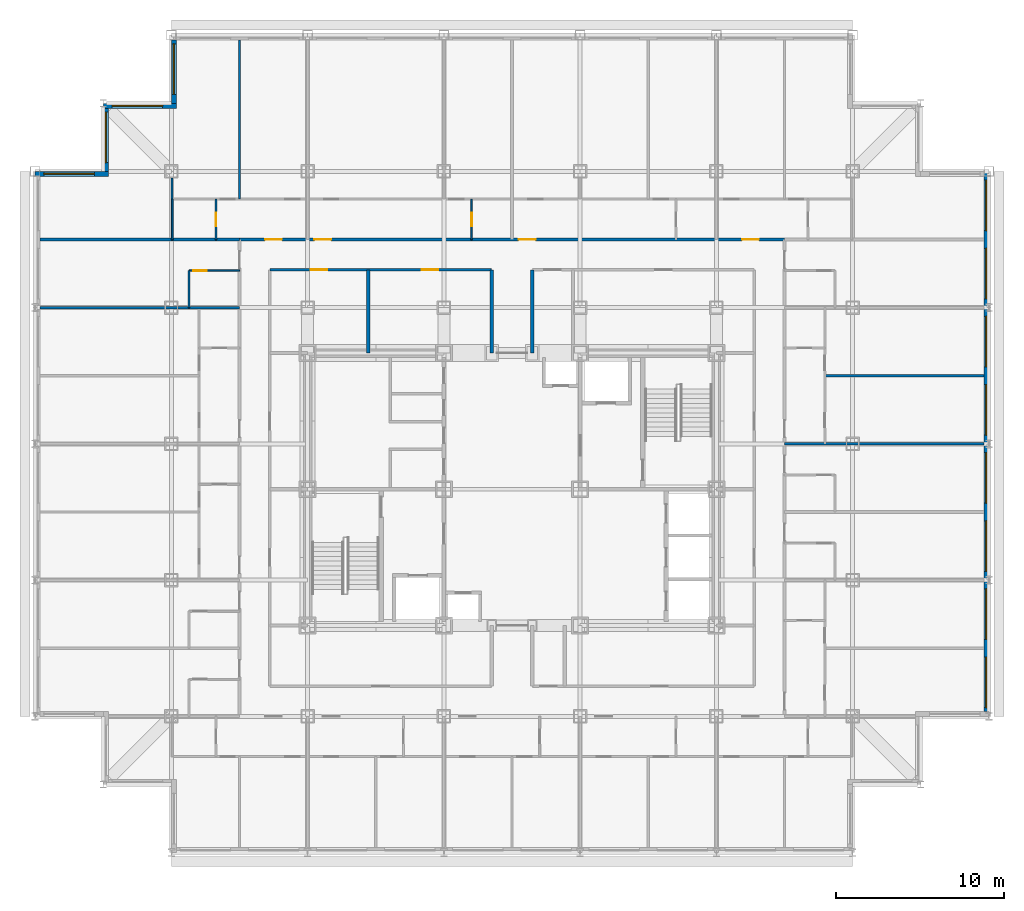
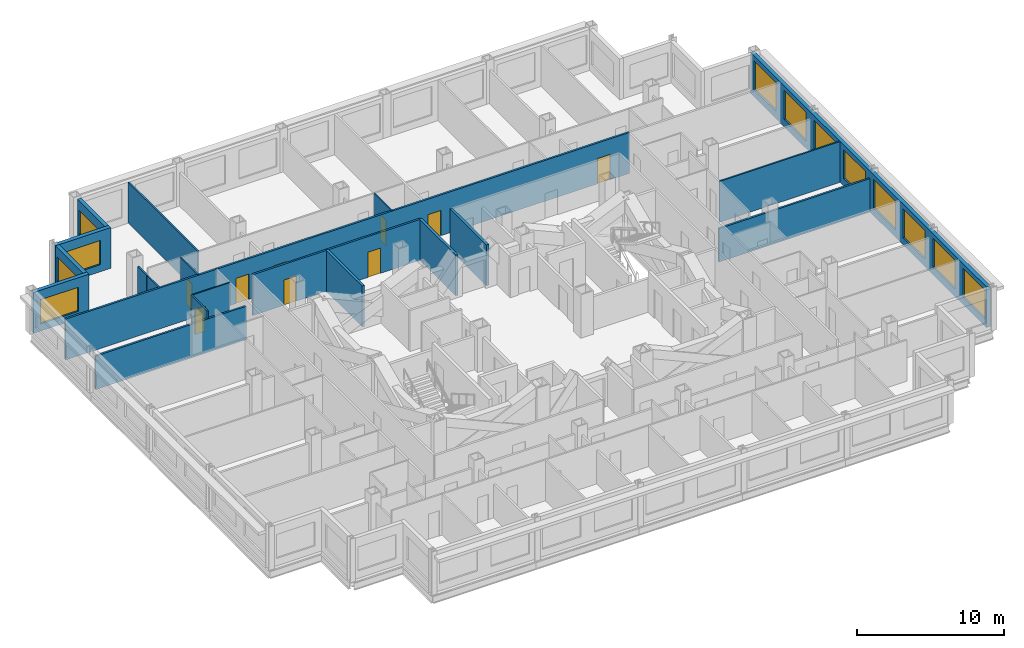
# One storey, part 9 of 12: 21 walls, 12 windows, 9 doors, 21 openings.
"""IFC4 building model written with IfcOpenShell, lengths in metres."""

from ifc_helpers import new_model, si_unit, direction, frame, frame_2d, origin, place, context, subcontext, project, spatial, rectangle, extrude, material, layer, layer_set, type_object, element, fill, save


model = new_model("IFC4")

# Units and contexts
model_context = context("Model", 3, precision=1e-05, world=origin(), true_north=direction((0.0, 1.0)))
body_context = subcontext(model_context, "Body", "Model", "MODEL_VIEW")
ifc_project = project(units=[si_unit("LENGTHUNIT", "METRE"), si_unit("AREAUNIT", "SQUARE_METRE"), si_unit("VOLUMEUNIT", "CUBIC_METRE"), si_unit("PLANEANGLEUNIT", "RADIAN"), si_unit("MASSUNIT", "GRAM", prefix="KILO")], contexts=[model_context])

# Site, building, storey
site_placement = place(None, origin())
site = spatial("IfcSite", under=ifc_project, at=site_placement, CompositionType="ELEMENT")
building_placement = place(site_placement, origin())
building = spatial("IfcBuilding", under=site, at=building_placement, Name="Kopane Lantern Tower", CompositionType="ELEMENT")
storey_placement = place(building_placement, frame((0.0, 0.0, 188.39990234375)))
storey = spatial("IfcBuildingStorey", under=building, at=storey_placement, Name="L48", CompositionType="ELEMENT", Elevation=188.39990234375)

# Walls
ifc_material_1 = material(Name="Gypsum board on steel studs", Category="steel")
ifc_layer_1 = layer(ifc_material_1, 0.1201171875)
ifc_layer_set_1 = layer_set([ifc_layer_1], Name="APARTMENT INTERNAL WALL 120")
wall_type_1 = type_object("IfcWallType", Name="APARTMENT INTERNAL WALL 120", PredefinedType="PARTITIONING", material=ifc_layer_set_1)
wall_1_placement = place(storey_placement, frame((46.949951171875, 39.14990234375, 0.0), z_axis=(0.0, 0.0, 1.0), x_axis=(1.0, 0.0, 0.0)))
element("IfcWall", 1, at=wall_1_placement, inside=storey, type_object=wall_type_1, Name="Apartment Internal Wall 120 L48", PredefinedType="PARTITIONING", context=body_context, shape_type="SweptSolid", body=[
    extrude(rectangle(XDim=9.449951171875, YDim=0.1201171875, at=frame_2d((4.72509765625, 0.0))), origin(), (0.0, 0.0, 1.0), 3.39013671875),
])
wall_2_placement = place(storey_placement, frame((12.14990234375, 49.64990234375, 0.0), z_axis=(0.0, 0.0, 1.0), x_axis=(0.0, 1.0, 0.0)))
element("IfcWall", 2, at=wall_2_placement, inside=storey, type_object=wall_type_1, Name="Apartment Internal Wall 120 L48", PredefinedType="PARTITIONING", context=body_context, shape_type="SweptSolid", body=[
    extrude(rectangle(XDim=9.4501953125, YDim=0.1201171875, at=frame_2d((4.72509765625, 0.0))), origin(), (0.0, 0.0, 1.0), 3.39013671875),
])
wall_3_placement = place(storey_placement, frame((8.14990234375, 49.64990234375, 0.0), z_axis=(0.0, 0.0, 1.0), x_axis=(0.0, 1.0, 0.0)))
element("IfcWall", 3, at=wall_3_placement, inside=storey, type_object=wall_type_1, Name="Apartment Internal Wall 120 L48", PredefinedType="PARTITIONING", context=body_context, shape_type="SweptSolid", body=[
    extrude(rectangle(XDim=1.25, YDim=0.1201171875, at=frame_2d((0.625, 0.0))), origin(), (0.0, 0.0, 1.0), 2.77783203125),
])

# Wall, opening, door
ifc_material_2 = material(Name="Moisture-resistant board on steel studs", Category="steel")
ifc_layer_2 = layer(ifc_material_2, 0.10009765625)
ifc_layer_set_2 = layer_set([ifc_layer_2], Name="BATHROOM WALL 100")
wall_type_2 = type_object("IfcWallType", Name="BATHROOM WALL 100", PredefinedType="PARTITIONING", material=ifc_layer_set_2)
wall_4_placement = place(storey_placement, frame((25.949951171875, 47.25, 0.0), z_axis=(0.0, 0.0, 1.0), x_axis=(0.0, 1.0, 0.0)))
wall_4 = element("IfcWall", 4, at=wall_4_placement, inside=storey, type_object=wall_type_2, Name="Bathroom Wall 100 L48", PredefinedType="PARTITIONING", context=body_context, shape_type="SweptSolid", body=[
    extrude(rectangle(XDim=2.39990234375, YDim=0.10009765625, at=frame_2d((1.199951171875, 0.0))), origin(), (0.0, 0.0, 1.0), 3.39013671875),
])
opening_1_placement = place(wall_4_placement, frame((0.800048828125, 0.0, 0.0)))
opening_1 = element("IfcOpeningElement", 5, at=opening_1_placement, cuts=wall_4, Name="Opening L48-024", PredefinedType="OPENING", context=body_context, shape_type="SweptSolid", body=[
    extrude(rectangle(XDim=0.800048828125, YDim=2.10009765625, at=frame_2d((0.39990234375, 1.050048828125))), frame((0.0, 0.06005859375, 0.0), z_axis=(0.0, -1.0, 0.0), x_axis=(1.0, 0.0, 0.0)), (0.0, 0.0, 1.0), 0.1201171875),
])
ifc_material_3 = material(Name="Timber door set", Category="wood")
door_type_1 = type_object("IfcDoorType", Name="DOOR D2 800x2100", OperationType="SINGLE_SWING_LEFT", PredefinedType="DOOR", material=ifc_material_3)
door_1_placement = place(opening_1_placement, origin())
door_1 = element("IfcDoor", 6, at=door_1_placement, inside=storey, type_object=door_type_1, Name="Door L48-024", OperationType="SINGLE_SWING_RIGHT", OverallHeight=2.10009765625, OverallWidth=0.800048828125, PredefinedType="DOOR", context=body_context, shape_type="SweptSolid", body=[
    extrude(rectangle(XDim=0.800048828125, YDim=2.10009765625, at=frame_2d((0.39990234375, 1.050048828125))), frame((0.0, 0.02490234375, 0.0), z_axis=(0.0, -1.0, 0.0), x_axis=(1.0, 0.0, 0.0)), (0.0, 0.0, 1.0), 0.050048828125),
])
fill(opening_1, door_1)

# Wall
wall_5_placement = place(storey_placement, frame((9.14990234375, 43.199951171875, 0.0), z_axis=(0.0, 0.0, 1.0), x_axis=(0.0, 1.0, 0.0)))
element("IfcWall", 7, at=wall_5_placement, inside=storey, type_object=wall_type_2, Name="Bathroom Wall 100 L48", PredefinedType="PARTITIONING", context=body_context, shape_type="SweptSolid", body=[
    extrude(rectangle(XDim=2.199951171875, YDim=0.10009765625, at=frame_2d((1.10009765625, 0.0))), origin(), (0.0, 0.0, 1.0), 3.39013671875),
])

# Wall, opening, door
wall_6_placement = place(storey_placement, frame((12.14990234375, 45.39990234375, 0.0), z_axis=(0.0, 0.0, 1.0), x_axis=(-1.0, 0.0, 0.0)))
wall_6 = element("IfcWall", 8, at=wall_6_placement, inside=storey, type_object=wall_type_2, Name="Bathroom Wall 100 L48", PredefinedType="PARTITIONING", context=body_context, shape_type="SweptSolid", body=[
    extrude(rectangle(XDim=3.0, YDim=0.10009765625, at=frame_2d((1.5, 0.0))), origin(), (0.0, 0.0, 1.0), 3.39013671875),
])
opening_2_placement = place(wall_6_placement, frame((1.949951171875, 0.0, 0.0)))
opening_2 = element("IfcOpeningElement", 9, at=opening_2_placement, cuts=wall_6, Name="Opening L48-044", PredefinedType="OPENING", context=body_context, shape_type="SweptSolid", body=[
    extrude(rectangle(XDim=0.800048828125, YDim=2.10009765625, at=frame_2d((0.39990234375, 1.050048828125))), frame((0.0, 0.06005859375, 0.0), z_axis=(0.0, -1.0, 0.0), x_axis=(1.0, 0.0, 0.0)), (0.0, 0.0, 1.0), 0.1201171875),
])
door_2_placement = place(opening_2_placement, origin())
door_2 = element("IfcDoor", 10, at=door_2_placement, inside=storey, type_object=door_type_1, Name="Door L48-044", OperationType="SINGLE_SWING_RIGHT", OverallHeight=2.10009765625, OverallWidth=0.800048828125, PredefinedType="DOOR", context=body_context, shape_type="SweptSolid", body=[
    extrude(rectangle(XDim=0.800048828125, YDim=2.10009765625, at=frame_2d((0.39990234375, 1.050048828125))), frame((0.0, 0.02490234375, 0.0), z_axis=(0.0, -1.0, 0.0), x_axis=(1.0, 0.0, 0.0)), (0.0, 0.0, 1.0), 0.050048828125),
])
fill(opening_2, door_2)

wall_7_placement = place(storey_placement, frame((10.75, 47.25, 0.0), z_axis=(0.0, 0.0, 1.0), x_axis=(0.0, 1.0, 0.0)))
wall_7 = element("IfcWall", 11, at=wall_7_placement, inside=storey, type_object=wall_type_2, Name="Bathroom Wall 100 L48", PredefinedType="PARTITIONING", context=body_context, shape_type="SweptSolid", body=[
    extrude(rectangle(XDim=2.39990234375, YDim=0.10009765625, at=frame_2d((1.199951171875, 0.0))), origin(), (0.0, 0.0, 1.0), 3.39013671875),
])
opening_3_placement = place(wall_7_placement, frame((0.800048828125, 0.0, 0.0)))
opening_3 = element("IfcOpeningElement", 12, at=opening_3_placement, cuts=wall_7, Name="Opening L48-074", PredefinedType="OPENING", context=body_context, shape_type="SweptSolid", body=[
    extrude(rectangle(XDim=0.800048828125, YDim=2.10009765625, at=frame_2d((0.39990234375, 1.050048828125))), frame((0.0, 0.06005859375, 0.0), z_axis=(0.0, -1.0, 0.0), x_axis=(1.0, 0.0, 0.0)), (0.0, 0.0, 1.0), 0.1201171875),
])
door_3_placement = place(opening_3_placement, origin())
door_3 = element("IfcDoor", 13, at=door_3_placement, inside=storey, type_object=door_type_1, Name="Door L48-074", OperationType="SINGLE_SWING_LEFT", OverallHeight=2.10009765625, OverallWidth=0.800048828125, PredefinedType="DOOR", context=body_context, shape_type="SweptSolid", body=[
    extrude(rectangle(XDim=0.800048828125, YDim=2.10009765625, at=frame_2d((0.39990234375, 1.050048828125))), frame((0.0, 0.02490234375, 0.0), z_axis=(0.0, -1.0, 0.0), x_axis=(1.0, 0.0, 0.0)), (0.0, 0.0, 1.0), 0.050048828125),
])
fill(opening_3, door_3)

# Wall
wall_8_placement = place(storey_placement, frame((8.14990234375, 47.25, 0.0), z_axis=(0.0, 0.0, 1.0), x_axis=(0.0, 1.0, 0.0)))
element("IfcWall", 14, at=wall_8_placement, inside=storey, type_object=wall_type_2, Name="Bathroom Wall 100 L48", PredefinedType="PARTITIONING", context=body_context, shape_type="SweptSolid", body=[
    extrude(rectangle(XDim=2.39990234375, YDim=0.10009765625, at=frame_2d((1.199951171875, 0.0))), origin(), (0.0, 0.0, 1.0), 2.77783203125),
])

# Wall, openings, doors
ifc_material_4 = material(Name="Gypsum board on steel studs", Category="steel")
ifc_layer_3 = layer(ifc_material_4, 0.14990234375)
ifc_layer_set_3 = layer_set([ifc_layer_3], Name="CORRIDOR WALL 150 EI 60")
wall_type_3 = type_object("IfcWallType", Name="CORRIDOR WALL 150 EI 60", PredefinedType="PARTITIONING", material=ifc_layer_set_3)
wall_9_placement = place(storey_placement, frame((12.14990234375, 47.25, 0.0), z_axis=(0.0, 0.0, 1.0), x_axis=(1.0, 0.0, 0.0)))
wall_9 = element("IfcWall", 15, at=wall_9_placement, inside=storey, type_object=wall_type_3, Name="Corridor Wall 150 Ei 60 L48", PredefinedType="PARTITIONING", context=body_context, shape_type="SweptSolid", body=[
    extrude(rectangle(XDim=32.400146484375, YDim=0.14990234375, at=frame_2d((16.2001953125, 0.0))), origin(), (0.0, 0.0, 1.0), 3.39013671875),
])
opening_4_placement = place(wall_9_placement, frame((4.449951171875, 0.0, 0.0)))
opening_4 = element("IfcOpeningElement", 16, at=opening_4_placement, cuts=wall_9, Name="Opening L48-025", PredefinedType="OPENING", context=body_context, shape_type="SweptSolid", body=[
    extrude(rectangle(XDim=1.0, YDim=2.10009765625, at=frame_2d((0.5, 1.050048828125))), frame((0.0, 0.0849609375, 0.0), z_axis=(0.0, -1.0, 0.0), x_axis=(1.0, 0.0, 0.0)), (0.0, 0.0, 1.0), 0.169921875),
])
opening_5_placement = place(wall_9_placement, frame((16.60009765625, 0.0, 0.0)))
opening_5 = element("IfcOpeningElement", 17, at=opening_5_placement, cuts=wall_9, Name="Opening L48-029", PredefinedType="OPENING", context=body_context, shape_type="SweptSolid", body=[
    extrude(rectangle(XDim=1.0, YDim=2.10009765625, at=frame_2d((0.5, 1.050048828125))), frame((0.0, 0.0849609375, 0.0), z_axis=(0.0, -1.0, 0.0), x_axis=(1.0, 0.0, 0.0)), (0.0, 0.0, 1.0), 0.169921875),
])
opening_6_placement = place(wall_9_placement, frame((29.875, 0.0, 0.0)))
opening_6 = element("IfcOpeningElement", 18, at=opening_6_placement, cuts=wall_9, Name="Opening L48-068", PredefinedType="OPENING", context=body_context, shape_type="SweptSolid", body=[
    extrude(rectangle(XDim=1.0, YDim=2.10009765625, at=frame_2d((0.5, 1.050048828125))), frame((0.0, 0.0849609375, 0.0), z_axis=(0.0, -1.0, 0.0), x_axis=(1.0, 0.0, 0.0)), (0.0, 0.0, 1.0), 0.169921875),
])
opening_7_placement = place(wall_9_placement, frame((1.52490234375, 0.0, 0.0)))
opening_7 = element("IfcOpeningElement", 19, at=opening_7_placement, cuts=wall_9, Name="Opening L48-072", PredefinedType="OPENING", context=body_context, shape_type="SweptSolid", body=[
    extrude(rectangle(XDim=1.0, YDim=2.10009765625, at=frame_2d((0.5, 1.050048828125))), frame((0.0, 0.0849609375, 0.0), z_axis=(0.0, -1.0, 0.0), x_axis=(1.0, 0.0, 0.0)), (0.0, 0.0, 1.0), 0.169921875),
])
ifc_material_5 = material(Name="Steel door set", Category="steel")
door_type_2 = type_object("IfcDoorType", Name="DOOR D3 1000x2100 FD30S", OperationType="SINGLE_SWING_LEFT", PredefinedType="DOOR", material=ifc_material_5)
door_4_placement = place(opening_4_placement, origin())
door_4 = element("IfcDoor", 20, at=door_4_placement, inside=storey, type_object=door_type_2, Name="Door L48-025", OperationType="SINGLE_SWING_LEFT", OverallHeight=2.10009765625, OverallWidth=1.0, PredefinedType="DOOR", context=body_context, shape_type="SweptSolid", body=[
    extrude(rectangle(XDim=1.0, YDim=2.10009765625, at=frame_2d((0.5, 1.050048828125))), frame((0.0, 0.02490234375, 0.0), z_axis=(0.0, -1.0, 0.0), x_axis=(1.0, 0.0, 0.0)), (0.0, 0.0, 1.0), 0.050048828125),
])
fill(opening_4, door_4)
door_5_placement = place(opening_5_placement, origin())
door_5 = element("IfcDoor", 21, at=door_5_placement, inside=storey, type_object=door_type_2, Name="Door L48-029", OperationType="SINGLE_SWING_LEFT", OverallHeight=2.10009765625, OverallWidth=1.0, PredefinedType="DOOR", context=body_context, shape_type="SweptSolid", body=[
    extrude(rectangle(XDim=1.0, YDim=2.10009765625, at=frame_2d((0.5, 1.050048828125))), frame((0.0, 0.02490234375, 0.0), z_axis=(0.0, -1.0, 0.0), x_axis=(1.0, 0.0, 0.0)), (0.0, 0.0, 1.0), 0.050048828125),
])
fill(opening_5, door_5)
door_6_placement = place(opening_6_placement, origin())
door_6 = element("IfcDoor", 22, at=door_6_placement, inside=storey, type_object=door_type_2, Name="Door L48-068", OperationType="SINGLE_SWING_LEFT", OverallHeight=2.10009765625, OverallWidth=1.0, PredefinedType="DOOR", context=body_context, shape_type="SweptSolid", body=[
    extrude(rectangle(XDim=1.0, YDim=2.10009765625, at=frame_2d((0.5, 1.050048828125))), frame((0.0, 0.02490234375, 0.0), z_axis=(0.0, -1.0, 0.0), x_axis=(1.0, 0.0, 0.0)), (0.0, 0.0, 1.0), 0.050048828125),
])
fill(opening_6, door_6)
door_7_placement = place(opening_7_placement, origin())
door_7 = element("IfcDoor", 23, at=door_7_placement, inside=storey, type_object=door_type_2, Name="Door L48-072", OperationType="SINGLE_SWING_RIGHT", OverallHeight=2.10009765625, OverallWidth=1.0, PredefinedType="DOOR", context=body_context, shape_type="SweptSolid", body=[
    extrude(rectangle(XDim=1.0, YDim=2.10009765625, at=frame_2d((0.5, 1.050048828125))), frame((0.0, 0.02490234375, 0.0), z_axis=(0.0, -1.0, 0.0), x_axis=(1.0, 0.0, 0.0)), (0.0, 0.0, 1.0), 0.050048828125),
])
fill(opening_7, door_7)

wall_10_placement = place(storey_placement, frame((27.139892578125, 45.449951171875, 0.0), z_axis=(0.0, 0.0, 1.0), x_axis=(-1.0, 0.0, 0.0)))
wall_10 = element("IfcWall", 24, at=wall_10_placement, inside=storey, type_object=wall_type_3, Name="Corridor Wall 150 Ei 60 L48", PredefinedType="PARTITIONING", context=body_context, shape_type="SweptSolid", body=[
    extrude(rectangle(XDim=13.18994140625, YDim=0.14990234375, at=frame_2d((6.594970703125, 0.0))), origin(), (0.0, 0.0, 1.0), 3.39013671875),
])
opening_8_placement = place(wall_10_placement, frame((9.7607421875, 0.0, 0.0)))
opening_8 = element("IfcOpeningElement", 25, at=opening_8_placement, cuts=wall_10, Name="Opening L48-008", PredefinedType="OPENING", context=body_context, shape_type="SweptSolid", body=[
    extrude(rectangle(XDim=1.0, YDim=2.10009765625, at=frame_2d((0.5, 1.050048828125))), frame((0.0, 0.0849609375, 0.0), z_axis=(0.0, -1.0, 0.0), x_axis=(1.0, 0.0, 0.0)), (0.0, 0.0, 1.0), 0.169921875),
])
opening_9_placement = place(wall_10_placement, frame((3.16064453125, 0.0, 0.0)))
opening_9 = element("IfcOpeningElement", 26, at=opening_9_placement, cuts=wall_10, Name="Opening L48-009", PredefinedType="OPENING", context=body_context, shape_type="SweptSolid", body=[
    extrude(rectangle(XDim=1.0, YDim=2.10009765625, at=frame_2d((0.5, 1.050048828125))), frame((0.0, 0.0849609375, 0.0), z_axis=(0.0, -1.0, 0.0), x_axis=(1.0, 0.0, 0.0)), (0.0, 0.0, 1.0), 0.169921875),
])
ifc_material_6 = material(Name="Steel door set", Category="steel")
door_type_3 = type_object("IfcDoorType", Name="DOOR D5 1000x2100 FD60", OperationType="SINGLE_SWING_LEFT", PredefinedType="DOOR", material=ifc_material_6)
door_8_placement = place(opening_8_placement, origin())
door_8 = element("IfcDoor", 27, at=door_8_placement, inside=storey, type_object=door_type_3, Name="Door L48-008", OperationType="SINGLE_SWING_RIGHT", OverallHeight=2.10009765625, OverallWidth=1.0, PredefinedType="DOOR", context=body_context, shape_type="SweptSolid", body=[
    extrude(rectangle(XDim=1.0, YDim=2.10009765625, at=frame_2d((0.5, 1.050048828125))), frame((0.0, 0.02490234375, 0.0), z_axis=(0.0, -1.0, 0.0), x_axis=(1.0, 0.0, 0.0)), (0.0, 0.0, 1.0), 0.050048828125),
])
fill(opening_8, door_8)
door_9_placement = place(opening_9_placement, origin())
door_9 = element("IfcDoor", 28, at=door_9_placement, inside=storey, type_object=door_type_3, Name="Door L48-009", OperationType="SINGLE_SWING_LEFT", OverallHeight=2.10009765625, OverallWidth=1.0, PredefinedType="DOOR", context=body_context, shape_type="SweptSolid", body=[
    extrude(rectangle(XDim=1.0, YDim=2.10009765625, at=frame_2d((0.5, 1.050048828125))), frame((0.0, 0.02490234375, 0.0), z_axis=(0.0, -1.0, 0.0), x_axis=(1.0, 0.0, 0.0)), (0.0, 0.0, 1.0), 0.050048828125),
])
fill(opening_9, door_9)

# Walls
ifc_material_7 = material(Name="Gypsum board on steel studs", Category="steel")
ifc_layer_4 = layer(ifc_material_7, 0.14990234375)
ifc_layer_set_4 = layer_set([ifc_layer_4], Name="DEMISING WALL 150 EI 60")
wall_type_4 = type_object("IfcWallType", Name="DEMISING WALL 150 EI 60", PredefinedType="PARTITIONING", material=ifc_layer_set_4)
for number, where, z_axis, x_axis, name in (
    (29, (12.14990234375, 43.199951171875, 0.0), (0.0, 0.0, 1.0), (-1.0, 0.0, 0.0), "Demising Wall 150 Ei 60 L48"),
    (30, (44.550048828125, 35.10009765625, 0.0), (0.0, 0.0, 1.0), (1.0, 0.0, 0.0), "Demising Wall 150 Ei 60 L48"),
):
    element("IfcWall", number, at=place(storey_placement, frame(where, z_axis=z_axis, x_axis=x_axis)), inside=storey, type_object=wall_type_4, Name=name, PredefinedType="PARTITIONING", context=body_context, shape_type="SweptSolid", body=[
        extrude(rectangle(XDim=11.849853515625, YDim=0.14990234375, at=frame_2d((5.9248046875, 0.0))), origin(), (0.0, 0.0, 1.0), 2.77783203125),
    ])
wall_11_placement = place(storey_placement, frame((0.300048828125, 47.25, 0.0), z_axis=(0.0, 0.0, 1.0), x_axis=(1.0, 0.0, 0.0)))
element("IfcWall", 31, at=wall_11_placement, inside=storey, type_object=wall_type_4, Name="Demising Wall 150 Ei 60 L48", PredefinedType="PARTITIONING", context=body_context, shape_type="SweptSolid", body=[
    extrude(rectangle(XDim=11.849853515625, YDim=0.14990234375, at=frame_2d((5.9248046875, 0.0))), origin(), (0.0, 0.0, 1.0), 3.39013671875),
])

# Wall, openings, windows
ifc_material_8 = material(Name="Terracotta rainscreen on light steel framing", Category="masonry")
ifc_layer_5 = layer(ifc_material_8, 0.300048828125)
ifc_layer_set_5 = layer_set([ifc_layer_5], Name="EXTERNAL WALL EW1 300 TERRACOTTA")
wall_type_5 = type_object("IfcWallType", Name="EXTERNAL WALL EW1 300 TERRACOTTA", PredefinedType="SOLIDWALL", material=ifc_layer_set_5)
wall_12_placement = place(storey_placement, frame((56.550048828125, 19.199951171875, 0.0), z_axis=(0.0, 0.0, 1.0), x_axis=(0.0, 1.0, 0.0)))
wall_12 = element("IfcWall", 32, at=wall_12_placement, inside=storey, type_object=wall_type_5, Name="External wall E L48", PredefinedType="SOLIDWALL", context=body_context, shape_type="SweptSolid", body=[
    extrude(rectangle(XDim=32.10009765625, YDim=0.300048828125, at=frame_2d((16.050048828125, 0.0))), origin(), (0.0, 0.0, 1.0), 3.39013671875),
])
opening_10_placement = place(wall_12_placement, frame((0.22509765625, 0.0, 0.60009765625)))
opening_10 = element("IfcOpeningElement", 33, at=opening_10_placement, cuts=wall_12, Name="Opening WR300240", PredefinedType="OPENING", context=body_context, shape_type="SweptSolid", body=[
    extrude(rectangle(XDim=3.0, YDim=2.39990234375, at=frame_2d((1.5, 1.199951171875))), frame((0.0, 0.159912109375, 0.0), z_axis=(0.0, -1.0, 0.0), x_axis=(1.0, 0.0, 0.0)), (0.0, 0.0, 1.0), 0.320068359375),
])
opening_11_placement = place(wall_12_placement, frame((4.27490234375, 0.0, 0.60009765625)))
opening_11 = element("IfcOpeningElement", 34, at=opening_11_placement, cuts=wall_12, Name="Opening WR300240", PredefinedType="OPENING", context=body_context, shape_type="SweptSolid", body=[
    extrude(rectangle(XDim=3.0, YDim=2.39990234375, at=frame_2d((1.5, 1.199951171875))), frame((0.0, 0.159912109375, 0.0), z_axis=(0.0, -1.0, 0.0), x_axis=(1.0, 0.0, 0.0)), (0.0, 0.0, 1.0), 0.320068359375),
])
opening_12_placement = place(wall_12_placement, frame((8.324951171875, 0.0, 0.60009765625)))
opening_12 = element("IfcOpeningElement", 35, at=opening_12_placement, cuts=wall_12, Name="Opening WR300240", PredefinedType="OPENING", context=body_context, shape_type="SweptSolid", body=[
    extrude(rectangle(XDim=3.0, YDim=2.39990234375, at=frame_2d((1.5, 1.199951171875))), frame((0.0, 0.159912109375, 0.0), z_axis=(0.0, -1.0, 0.0), x_axis=(1.0, 0.0, 0.0)), (0.0, 0.0, 1.0), 0.320068359375),
])
opening_13_placement = place(wall_12_placement, frame((12.375, 0.0, 0.60009765625)))
opening_13 = element("IfcOpeningElement", 36, at=opening_13_placement, cuts=wall_12, Name="Opening WR300240", PredefinedType="OPENING", context=body_context, shape_type="SweptSolid", body=[
    extrude(rectangle(XDim=3.0, YDim=2.39990234375, at=frame_2d((1.5, 1.199951171875))), frame((0.0, 0.159912109375, 0.0), z_axis=(0.0, -1.0, 0.0), x_axis=(1.0, 0.0, 0.0)), (0.0, 0.0, 1.0), 0.320068359375),
])
opening_14_placement = place(wall_12_placement, frame((16.425048828125, 0.0, 0.60009765625)))
opening_14 = element("IfcOpeningElement", 37, at=opening_14_placement, cuts=wall_12, Name="Opening WR300240", PredefinedType="OPENING", context=body_context, shape_type="SweptSolid", body=[
    extrude(rectangle(XDim=3.0, YDim=2.39990234375, at=frame_2d((1.5, 1.199951171875))), frame((0.0, 0.159912109375, 0.0), z_axis=(0.0, -1.0, 0.0), x_axis=(1.0, 0.0, 0.0)), (0.0, 0.0, 1.0), 0.320068359375),
])
opening_15_placement = place(wall_12_placement, frame((20.47509765625, 0.0, 0.60009765625)))
opening_15 = element("IfcOpeningElement", 38, at=opening_15_placement, cuts=wall_12, Name="Opening WR300240", PredefinedType="OPENING", context=body_context, shape_type="SweptSolid", body=[
    extrude(rectangle(XDim=3.0, YDim=2.39990234375, at=frame_2d((1.5, 1.199951171875))), frame((0.0, 0.159912109375, 0.0), z_axis=(0.0, -1.0, 0.0), x_axis=(1.0, 0.0, 0.0)), (0.0, 0.0, 1.0), 0.320068359375),
])
opening_16_placement = place(wall_12_placement, frame((24.52490234375, 0.0, 0.60009765625)))
opening_16 = element("IfcOpeningElement", 39, at=opening_16_placement, cuts=wall_12, Name="Opening WR300240", PredefinedType="OPENING", context=body_context, shape_type="SweptSolid", body=[
    extrude(rectangle(XDim=3.0, YDim=2.39990234375, at=frame_2d((1.5, 1.199951171875))), frame((0.0, 0.159912109375, 0.0), z_axis=(0.0, -1.0, 0.0), x_axis=(1.0, 0.0, 0.0)), (0.0, 0.0, 1.0), 0.320068359375),
])
opening_17_placement = place(wall_12_placement, frame((28.574951171875, 0.0, 0.60009765625)))
opening_17 = element("IfcOpeningElement", 40, at=opening_17_placement, cuts=wall_12, Name="Opening WR300240", PredefinedType="OPENING", context=body_context, shape_type="SweptSolid", body=[
    extrude(rectangle(XDim=3.0, YDim=2.39990234375, at=frame_2d((1.5, 1.199951171875))), frame((0.0, 0.159912109375, 0.0), z_axis=(0.0, -1.0, 0.0), x_axis=(1.0, 0.0, 0.0)), (0.0, 0.0, 1.0), 0.320068359375),
])
ifc_material_9 = material(Name="Aluminium and clear glass", Category="aluminium")
window_type_1 = type_object("IfcWindowType", Name="RIBBON WINDOW WR300240 3000x2400", PartitioningType="SINGLE_PANEL", PredefinedType="WINDOW", material=ifc_material_9)
window_1_placement = place(opening_10_placement, origin())
window_1 = element("IfcWindow", 41, at=window_1_placement, inside=storey, type_object=window_type_1, Name="Window E L48", OverallHeight=2.39990234375, OverallWidth=3.0, PartitioningType="SINGLE_PANEL", PredefinedType="WINDOW", context=body_context, shape_type="SweptSolid", body=[
    extrude(rectangle(XDim=3.0, YDim=2.39990234375, at=frame_2d((1.5, 1.199951171875))), frame((0.0, 0.030029296875, 0.0), z_axis=(0.0, -1.0, 0.0), x_axis=(1.0, 0.0, 0.0)), (0.0, 0.0, 1.0), 0.06005859375),
])
fill(opening_10, window_1)
window_2_placement = place(opening_11_placement, origin())
window_2 = element("IfcWindow", 42, at=window_2_placement, inside=storey, type_object=window_type_1, Name="Window E L48", OverallHeight=2.39990234375, OverallWidth=3.0, PartitioningType="SINGLE_PANEL", PredefinedType="WINDOW", context=body_context, shape_type="SweptSolid", body=[
    extrude(rectangle(XDim=3.0, YDim=2.39990234375, at=frame_2d((1.5, 1.199951171875))), frame((0.0, 0.030029296875, 0.0), z_axis=(0.0, -1.0, 0.0), x_axis=(1.0, 0.0, 0.0)), (0.0, 0.0, 1.0), 0.06005859375),
])
fill(opening_11, window_2)
window_3_placement = place(opening_12_placement, origin())
window_3 = element("IfcWindow", 43, at=window_3_placement, inside=storey, type_object=window_type_1, Name="Window E L48", OverallHeight=2.39990234375, OverallWidth=3.0, PartitioningType="SINGLE_PANEL", PredefinedType="WINDOW", context=body_context, shape_type="SweptSolid", body=[
    extrude(rectangle(XDim=3.0, YDim=2.39990234375, at=frame_2d((1.5, 1.199951171875))), frame((0.0, 0.030029296875, 0.0), z_axis=(0.0, -1.0, 0.0), x_axis=(1.0, 0.0, 0.0)), (0.0, 0.0, 1.0), 0.06005859375),
])
fill(opening_12, window_3)
window_4_placement = place(opening_13_placement, origin())
window_4 = element("IfcWindow", 44, at=window_4_placement, inside=storey, type_object=window_type_1, Name="Window E L48", OverallHeight=2.39990234375, OverallWidth=3.0, PartitioningType="SINGLE_PANEL", PredefinedType="WINDOW", context=body_context, shape_type="SweptSolid", body=[
    extrude(rectangle(XDim=3.0, YDim=2.39990234375, at=frame_2d((1.5, 1.199951171875))), frame((0.0, 0.030029296875, 0.0), z_axis=(0.0, -1.0, 0.0), x_axis=(1.0, 0.0, 0.0)), (0.0, 0.0, 1.0), 0.06005859375),
])
fill(opening_13, window_4)
window_5_placement = place(opening_14_placement, origin())
window_5 = element("IfcWindow", 45, at=window_5_placement, inside=storey, type_object=window_type_1, Name="Window E L48", OverallHeight=2.39990234375, OverallWidth=3.0, PartitioningType="SINGLE_PANEL", PredefinedType="WINDOW", context=body_context, shape_type="SweptSolid", body=[
    extrude(rectangle(XDim=3.0, YDim=2.39990234375, at=frame_2d((1.5, 1.199951171875))), frame((0.0, 0.030029296875, 0.0), z_axis=(0.0, -1.0, 0.0), x_axis=(1.0, 0.0, 0.0)), (0.0, 0.0, 1.0), 0.06005859375),
])
fill(opening_14, window_5)
window_6_placement = place(opening_15_placement, origin())
window_6 = element("IfcWindow", 46, at=window_6_placement, inside=storey, type_object=window_type_1, Name="Window E L48", OverallHeight=2.39990234375, OverallWidth=3.0, PartitioningType="SINGLE_PANEL", PredefinedType="WINDOW", context=body_context, shape_type="SweptSolid", body=[
    extrude(rectangle(XDim=3.0, YDim=2.39990234375, at=frame_2d((1.5, 1.199951171875))), frame((0.0, 0.030029296875, 0.0), z_axis=(0.0, -1.0, 0.0), x_axis=(1.0, 0.0, 0.0)), (0.0, 0.0, 1.0), 0.06005859375),
])
fill(opening_15, window_6)
window_7_placement = place(opening_16_placement, origin())
window_7 = element("IfcWindow", 47, at=window_7_placement, inside=storey, type_object=window_type_1, Name="Window E L48", OverallHeight=2.39990234375, OverallWidth=3.0, PartitioningType="SINGLE_PANEL", PredefinedType="WINDOW", context=body_context, shape_type="SweptSolid", body=[
    extrude(rectangle(XDim=3.0, YDim=2.39990234375, at=frame_2d((1.5, 1.199951171875))), frame((0.0, 0.030029296875, 0.0), z_axis=(0.0, -1.0, 0.0), x_axis=(1.0, 0.0, 0.0)), (0.0, 0.0, 1.0), 0.06005859375),
])
fill(opening_16, window_7)
window_8_placement = place(opening_17_placement, origin())
window_8 = element("IfcWindow", 48, at=window_8_placement, inside=storey, type_object=window_type_1, Name="Window E L48", OverallHeight=2.39990234375, OverallWidth=3.0, PartitioningType="SINGLE_PANEL", PredefinedType="WINDOW", context=body_context, shape_type="SweptSolid", body=[
    extrude(rectangle(XDim=3.0, YDim=2.39990234375, at=frame_2d((1.5, 1.199951171875))), frame((0.0, 0.030029296875, 0.0), z_axis=(0.0, -1.0, 0.0), x_axis=(1.0, 0.0, 0.0)), (0.0, 0.0, 1.0), 0.06005859375),
])
fill(opening_17, window_8)

# Wall, opening, window
wall_13_placement = place(storey_placement, frame((8.25, 59.10009765625, 0.0), z_axis=(0.0, 0.0, 1.0), x_axis=(0.0, -1.0, 0.0)))
wall_13 = element("IfcWall", 49, at=wall_13_placement, inside=storey, type_object=wall_type_5, Name="External wall W L48", PredefinedType="SOLIDWALL", context=body_context, shape_type="SweptSolid", body=[
    extrude(rectangle(XDim=3.75, YDim=0.300048828125, at=frame_2d((1.875, 0.0))), origin(), (0.0, 0.0, 1.0), 3.39013671875),
])
opening_18_placement = place(wall_13_placement, frame((0.22509765625, 0.0, 0.60009765625)))
opening_18 = element("IfcOpeningElement", 50, at=opening_18_placement, cuts=wall_13, Name="Opening WR300200", PredefinedType="OPENING", context=body_context, shape_type="SweptSolid", body=[
    extrude(rectangle(XDim=3.0, YDim=2.0, at=frame_2d((1.5, 1.0))), frame((0.0, 0.159912109375, 0.0), z_axis=(0.0, -1.0, 0.0), x_axis=(1.0, 0.0, 0.0)), (0.0, 0.0, 1.0), 0.320068359375),
])
ifc_material_10 = material(Name="Aluminium and clear glass", Category="aluminium")
window_type_2 = type_object("IfcWindowType", Name="RIBBON WINDOW WR300200 3000x2000", PartitioningType="SINGLE_PANEL", PredefinedType="WINDOW", material=ifc_material_10)
window_9_placement = place(opening_18_placement, origin())
window_9 = element("IfcWindow", 51, at=window_9_placement, inside=storey, type_object=window_type_2, Name="Window W L48", OverallHeight=2.0, OverallWidth=3.0, PartitioningType="SINGLE_PANEL", PredefinedType="WINDOW", context=body_context, shape_type="SweptSolid", body=[
    extrude(rectangle(XDim=3.0, YDim=2.0, at=frame_2d((1.5, 1.0))), frame((0.0, 0.030029296875, 0.0), z_axis=(0.0, -1.0, 0.0), x_axis=(1.0, 0.0, 0.0)), (0.0, 0.0, 1.0), 0.06005859375),
])
fill(opening_18, window_9)

wall_14_placement = place(storey_placement, frame((8.39990234375, 55.199951171875, 0.0), z_axis=(0.0, 0.0, 1.0), x_axis=(-1.0, 0.0, 0.0)))
wall_14 = element("IfcWall", 52, at=wall_14_placement, inside=storey, type_object=wall_type_5, Name="External wall N L48", PredefinedType="SOLIDWALL", context=body_context, shape_type="SweptSolid", body=[
    extrude(rectangle(XDim=4.349853515625, YDim=0.300048828125, at=frame_2d((2.1748046875, 0.0))), origin(), (0.0, 0.0, 1.0), 3.39013671875),
])
opening_19_placement = place(wall_14_placement, frame((0.824951171875, 0.0, 0.60009765625)))
opening_19 = element("IfcOpeningElement", 53, at=opening_19_placement, cuts=wall_14, Name="Opening WR300200", PredefinedType="OPENING", context=body_context, shape_type="SweptSolid", body=[
    extrude(rectangle(XDim=3.0, YDim=2.0, at=frame_2d((1.5, 1.0))), frame((0.0, 0.159912109375, 0.0), z_axis=(0.0, -1.0, 0.0), x_axis=(1.0, 0.0, 0.0)), (0.0, 0.0, 1.0), 0.320068359375),
])
window_10_placement = place(opening_19_placement, origin())
window_10 = element("IfcWindow", 54, at=window_10_placement, inside=storey, type_object=window_type_2, Name="Window N L48", OverallHeight=2.0, OverallWidth=3.0, PartitioningType="SINGLE_PANEL", PredefinedType="WINDOW", context=body_context, shape_type="SweptSolid", body=[
    extrude(rectangle(XDim=3.0, YDim=2.0, at=frame_2d((1.5, 1.0))), frame((0.0, 0.030029296875, 0.0), z_axis=(0.0, -1.0, 0.0), x_axis=(1.0, 0.0, 0.0)), (0.0, 0.0, 1.0), 0.06005859375),
])
fill(opening_19, window_10)

wall_15_placement = place(storey_placement, frame((4.199951171875, 55.050048828125, 0.0), z_axis=(0.0, 0.0, 1.0), x_axis=(0.0, -1.0, 0.0)))
wall_15 = element("IfcWall", 55, at=wall_15_placement, inside=storey, type_object=wall_type_5, Name="External wall W L48", PredefinedType="SOLIDWALL", context=body_context, shape_type="SweptSolid", body=[
    extrude(rectangle(XDim=3.75, YDim=0.300048828125, at=frame_2d((1.875, 0.0))), origin(), (0.0, 0.0, 1.0), 3.39013671875),
])
opening_20_placement = place(wall_15_placement, frame((0.22509765625, 0.0, 0.60009765625)))
opening_20 = element("IfcOpeningElement", 56, at=opening_20_placement, cuts=wall_15, Name="Opening WR300200", PredefinedType="OPENING", context=body_context, shape_type="SweptSolid", body=[
    extrude(rectangle(XDim=3.0, YDim=2.0, at=frame_2d((1.5, 1.0))), frame((0.0, 0.159912109375, 0.0), z_axis=(0.0, -1.0, 0.0), x_axis=(1.0, 0.0, 0.0)), (0.0, 0.0, 1.0), 0.320068359375),
])
window_11_placement = place(opening_20_placement, origin())
window_11 = element("IfcWindow", 57, at=window_11_placement, inside=storey, type_object=window_type_2, Name="Window W L48", OverallHeight=2.0, OverallWidth=3.0, PartitioningType="SINGLE_PANEL", PredefinedType="WINDOW", context=body_context, shape_type="SweptSolid", body=[
    extrude(rectangle(XDim=3.0, YDim=2.0, at=frame_2d((1.5, 1.0))), frame((0.0, 0.030029296875, 0.0), z_axis=(0.0, -1.0, 0.0), x_axis=(1.0, 0.0, 0.0)), (0.0, 0.0, 1.0), 0.06005859375),
])
fill(opening_20, window_11)

wall_16_placement = place(storey_placement, frame((4.35009765625, 51.14990234375, 0.0), z_axis=(0.0, 0.0, 1.0), x_axis=(-1.0, 0.0, 0.0)))
wall_16 = element("IfcWall", 58, at=wall_16_placement, inside=storey, type_object=wall_type_5, Name="External wall N L48", PredefinedType="SOLIDWALL", context=body_context, shape_type="SweptSolid", body=[
    extrude(rectangle(XDim=4.35009765625, YDim=0.300048828125, at=frame_2d((2.175048828125, 0.0))), origin(), (0.0, 0.0, 1.0), 3.39013671875),
])
opening_21_placement = place(wall_16_placement, frame((0.824951171875, 0.0, 0.60009765625)))
opening_21 = element("IfcOpeningElement", 59, at=opening_21_placement, cuts=wall_16, Name="Opening WR300200", PredefinedType="OPENING", context=body_context, shape_type="SweptSolid", body=[
    extrude(rectangle(XDim=3.0, YDim=2.0, at=frame_2d((1.5, 1.0))), frame((0.0, 0.159912109375, 0.0), z_axis=(0.0, -1.0, 0.0), x_axis=(1.0, 0.0, 0.0)), (0.0, 0.0, 1.0), 0.320068359375),
])
window_12_placement = place(opening_21_placement, origin())
window_12 = element("IfcWindow", 60, at=window_12_placement, inside=storey, type_object=window_type_2, Name="Window N L48", OverallHeight=2.0, OverallWidth=3.0, PartitioningType="SINGLE_PANEL", PredefinedType="WINDOW", context=body_context, shape_type="SweptSolid", body=[
    extrude(rectangle(XDim=3.0, YDim=2.0, at=frame_2d((1.5, 1.0))), frame((0.0, 0.030029296875, 0.0), z_axis=(0.0, -1.0, 0.0), x_axis=(1.0, 0.0, 0.0)), (0.0, 0.0, 1.0), 0.06005859375),
])
fill(opening_21, window_12)

# Walls
ifc_material_11 = material(Name="Concrete masonry", Category="masonry")
ifc_layer_6 = layer(ifc_material_11, 0.199951171875)
ifc_layer_set_6 = layer_set([ifc_layer_6], Name="PLANT ROOM WALL 200 EI 120")
wall_type_6 = type_object("IfcWallType", Name="PLANT ROOM WALL 200 EI 120", PredefinedType="SOLIDWALL", material=ifc_layer_set_6)
for number, where, z_axis, x_axis, name in (
    (61, (19.80859375, 45.449951171875, 0.0), (0.0, 0.0, 1.0), (0.0, -1.0, 0.0), "Plant Room Wall 200 Ei 120 L48"),
    (62, (27.14990234375, 40.5, 0.0), (0.0, 0.0, 1.0), (0.0, 1.0, 0.0), "Plant Room Wall 200 Ei 120 L48"),
    (63, (29.550048828125, 40.5, 0.0), (0.0, 0.0, 1.0), (0.0, 1.0, 0.0), "Plant Room Wall 200 Ei 120 L48"),
):
    element("IfcWall", number, at=place(storey_placement, frame(where, z_axis=z_axis, x_axis=x_axis)), inside=storey, type_object=wall_type_6, Name=name, PredefinedType="SOLIDWALL", context=body_context, shape_type="SweptSolid", body=[
        extrude(rectangle(XDim=4.949951171875, YDim=0.199951171875, at=frame_2d((2.47509765625, 0.0))), origin(), (0.0, 0.0, 1.0), 3.39013671875),
    ])

save(model, "model.ifc")
